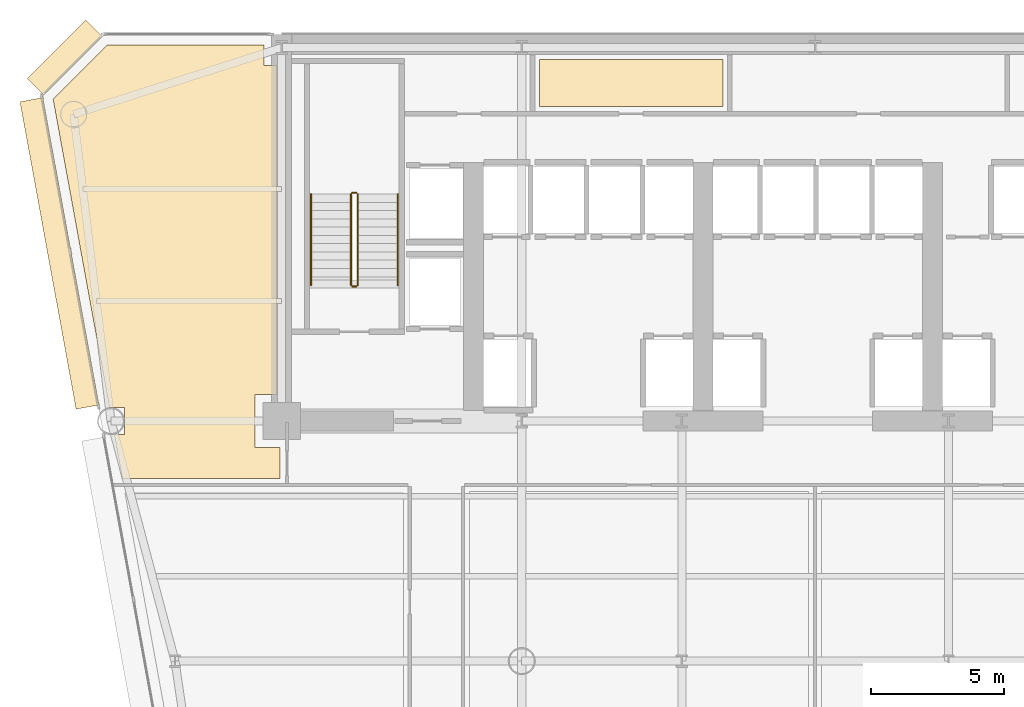
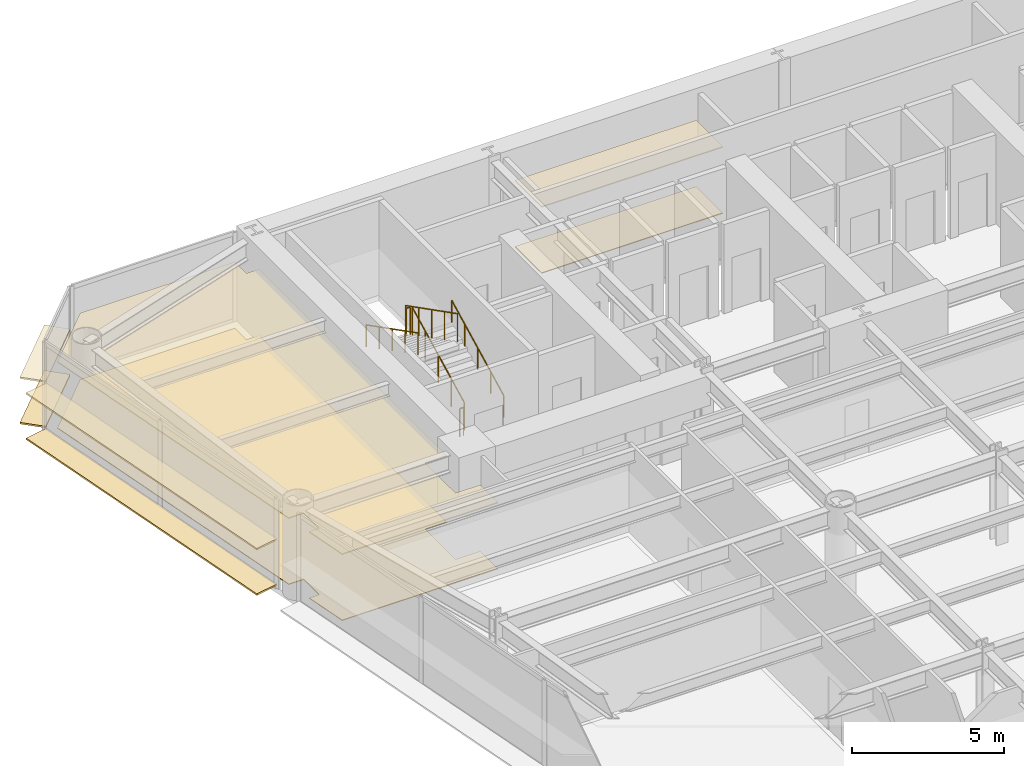
# One storey, part 12 of 14: 8 coverings, 6 railings.
"""IFC4 building model written with IfcOpenShell, lengths in metres."""

from ifc_helpers import new_model, si_unit, direction, frame, origin, origin_2d, place, context, subcontext, project, spatial, polyline, rectangle, circle, outline, extrude, source, transform, mapped, material, layer, layer_set, type_object, element, save


model = new_model("IFC4")

# Units and contexts
model_context = context("Model", 3, precision=1e-05, world=origin(), true_north=direction((0.0, 1.0)))
body_context = subcontext(model_context, "Body", "Model", "MODEL_VIEW")
ifc_project = project(units=[si_unit("LENGTHUNIT", "METRE"), si_unit("AREAUNIT", "SQUARE_METRE"), si_unit("VOLUMEUNIT", "CUBIC_METRE"), si_unit("PLANEANGLEUNIT", "RADIAN"), si_unit("MASSUNIT", "GRAM", prefix="KILO")], contexts=[model_context])

# Site, building, storey
site_placement = place(None, origin())
site = spatial("IfcSite", under=ifc_project, at=site_placement, CompositionType="ELEMENT")
building_placement = place(site_placement, origin())
building = spatial("IfcBuilding", under=site, at=building_placement, Name="Vaeldorn Concourse Tower", CompositionType="ELEMENT")
storey_placement = place(building_placement, frame((0.0, 0.0, 99.60009765625)))
storey = spatial("IfcBuildingStorey", under=building, at=storey_placement, Name="L25", CompositionType="ELEMENT", Elevation=99.60009765625)

# Coverings
ifc_material_1 = material(Name="Acoustic Mineral Fibre Board", Category="gypsum")
ifc_layer_1 = layer(ifc_material_1, 0.0400390625)
ifc_layer_set_1 = layer_set([ifc_layer_1], Name="Acoustic Mineral Fibre Board")
covering_type_1 = type_object("IfcCoveringType", Name="COV-CEIL-ACOUSTIC", PredefinedType="CEILING", material=ifc_layer_set_1)
covering_1_placement = place(storey_placement, frame((0.0, 0.0, 2.64990234375)))
element("IfcCovering", 1, at=covering_1_placement, inside=storey, type_object=covering_type_1, Name="Suspended Acoustic Ceiling L25-2", PredefinedType="CEILING", context=body_context, shape_type="SweptSolid", body=[
    extrude(outline(polyline([(30.5400390625, 50.050048828125), (30.5400390625, 48.300048828125), (23.659912109375, 48.300048828125), (23.659912109375, 50.050048828125), (30.5400390625, 50.050048828125)])), origin(), (0.0, 0.0, 1.0), 0.0400390625),
])
covering_2_placement = place(storey_placement, frame((0.0, 0.0, 2.64990234375)))
element("IfcCovering", 2, at=covering_2_placement, inside=storey, type_object=covering_type_1, Name="Suspended Acoustic Ceiling L25-3", PredefinedType="CEILING", context=body_context, shape_type="SweptSolid", body=[
    extrude(outline(polyline([(7.4658203125, 50.60009765625), (13.340087890625, 50.60009765625), (13.340087890625, 49.840087890625), (13.820068359375, 49.840087890625), (13.820068359375, 37.5), (13.0, 37.5), (13.0, 35.5), (13.93994140625, 35.5), (13.93994140625, 34.340087890625), (8.0263671875, 34.340087890625), (7.781982421875, 35.679931640625), (7.781982421875, 35.679931640625), (7.72509765625, 35.991943359375), (8.10791015625, 35.991943359375), (8.10791015625, 37.008056640625), (7.539794921875, 37.008056640625), (5.43115234375, 48.5654296875), (7.4658203125, 50.60009765625)])), origin(), (0.0, 0.0, 1.0), 0.0400390625),
])
ifc_material_2 = material(Name="Honed Limestone Terrazzo Flooring", Category="masonry")
ifc_layer_2 = layer(ifc_material_2, 0.0400390625)
ifc_layer_set_2 = layer_set([ifc_layer_2], Name="Honed Limestone Terrazzo Flooring")
covering_type_2 = type_object("IfcCoveringType", Name="COV-FLOOR-STONE", PredefinedType="FLOORING", material=ifc_layer_set_2)
covering_3_placement = place(storey_placement, origin())
element("IfcCovering", 3, at=covering_3_placement, inside=storey, type_object=covering_type_2, Name="Floor Finish Covering L25-2", PredefinedType="FLOORING", context=body_context, shape_type="SweptSolid", body=[
    extrude(outline(polyline([(30.5400390625, 50.050048828125), (30.5400390625, 48.300048828125), (23.659912109375, 48.300048828125), (23.659912109375, 50.050048828125), (30.5400390625, 50.050048828125)])), origin(), (0.0, 0.0, 1.0), 0.02978515625),
])
covering_4_placement = place(storey_placement, origin())
element("IfcCovering", 4, at=covering_4_placement, inside=storey, type_object=covering_type_2, Name="Floor Finish Covering L25-3", PredefinedType="FLOORING", context=body_context, shape_type="SweptSolid", body=[
    extrude(outline(polyline([(7.4658203125, 50.60009765625), (13.340087890625, 50.60009765625), (13.340087890625, 49.840087890625), (13.820068359375, 49.840087890625), (13.820068359375, 37.5), (13.0, 37.5), (13.0, 35.5), (13.93994140625, 35.5), (13.93994140625, 34.340087890625), (8.0263671875, 34.340087890625), (7.781982421875, 35.679931640625), (7.781982421875, 35.679931640625), (7.72509765625, 35.991943359375), (8.10791015625, 35.991943359375), (8.10791015625, 37.008056640625), (7.539794921875, 37.008056640625), (5.43115234375, 48.5654296875), (7.4658203125, 50.60009765625)])), origin(), (0.0, 0.0, 1.0), 0.02978515625),
])

# Railings
ifc_material_3 = material(Name="Anodised Bronze Aluminium", Category="aluminium")
railing_type_1 = type_object("IfcRailingType", Name="RL-STAIR-GUARD", PredefinedType="GUARDRAIL", material=ifc_material_3)
railing_1_placement = place(storey_placement, frame((16.85009765625, 41.60009765625, 0.158203125)))
element("IfcRailing", 5, at=railing_1_placement, inside=storey, type_object=railing_type_1, Name="L25 ST-1 stair guard 1", PredefinedType="GUARDRAIL", context=body_context, shape_type="SweptSolid", body=[
    extrude(circle(Radius=0.02392578125, at=origin_2d()), frame((0.0, 0.0, 1.1259765625), z_axis=(0.0, 0.890555807335, 0.454873997962), x_axis=(-1.0, 0.0, 0.0)), (0.0, 0.0, 1.0), 3.828857421875),
    extrude(circle(Radius=0.02099609375, at=origin_2d()), origin(), (0.0, 0.0, 1.0), 1.101806640625),
    extrude(circle(Radius=0.02099609375, at=origin_2d()), frame((0.0, 0.8525390625, 0.435546875)), (0.0, 0.0, 1.0), 1.101806640625),
    extrude(circle(Radius=0.02099609375, at=origin_2d()), frame((0.0, 1.705078125, 0.870849609375)), (0.0, 0.0, 1.0), 1.101806640625),
    extrude(circle(Radius=0.02099609375, at=origin_2d()), frame((0.0, 2.557373046875, 1.30615234375)), (0.0, 0.0, 1.0), 1.101806640625),
    extrude(circle(Radius=0.02099609375, at=origin_2d()), frame((0.0, 3.409912109375, 1.74169921875)), (0.0, 0.0, 1.0), 1.101806640625),
])
railing_2_placement = place(storey_placement, frame((16.800048828125, 45.06005859375, 1.89990234375)))
element("IfcRailing", 6, at=railing_2_placement, inside=storey, type_object=railing_type_1, Name="L25 ST-1 stair guard 2", PredefinedType="GUARDRAIL", context=body_context, shape_type="SweptSolid", body=[
    extrude(circle(Radius=0.02392578125, at=origin_2d()), frame((0.0, 0.0, 1.1259765625), z_axis=(-1.0, 0.0, 0.0), x_axis=(0.0, -1.0, 0.0)), (0.0, 0.0, 1.0), 0.150146484375),
    extrude(circle(Radius=0.02099609375, at=origin_2d()), origin(), (0.0, 0.0, 1.0), 1.101806640625),
    extrude(circle(Radius=0.02099609375, at=origin_2d()), frame((-0.150146484375, 0.0, 0.0)), (0.0, 0.0, 1.0), 1.101806640625),
])
railing_3_placement = place(storey_placement, frame((16.60009765625, 45.010009765625, 2.058349609375)))
element("IfcRailing", 7, at=railing_3_placement, inside=storey, type_object=railing_type_1, Name="L25 ST-1 stair guard 3", PredefinedType="GUARDRAIL", context=body_context, shape_type="SweptSolid", body=[
    extrude(circle(Radius=0.02392578125, at=origin_2d()), frame((0.0, 0.0, 1.1259765625), z_axis=(0.0, -0.890581635807, 0.454823427236), x_axis=(1.0, 0.0, 0.0)), (0.0, 0.0, 1.0), 3.828857421875),
    extrude(circle(Radius=0.02099609375, at=origin_2d()), origin(), (0.0, 0.0, 1.0), 1.101806640625),
    extrude(circle(Radius=0.02099609375, at=origin_2d()), frame((0.0, -0.8525390625, 0.435302734375)), (0.0, 0.0, 1.0), 1.101806640625),
    extrude(circle(Radius=0.02099609375, at=origin_2d()), frame((0.0, -1.705078125, 0.87060546875)), (0.0, 0.0, 1.0), 1.101806640625),
    extrude(circle(Radius=0.02099609375, at=origin_2d()), frame((0.0, -2.557373046875, 1.30615234375)), (0.0, 0.0, 1.0), 1.101806640625),
    extrude(circle(Radius=0.02099609375, at=origin_2d()), frame((0.0, -3.409912109375, 1.741455078125)), (0.0, 0.0, 1.0), 1.101806640625),
])
railing_4_placement = place(storey_placement, frame((16.800048828125, 41.550048828125, 0.0)))
element("IfcRailing", 8, at=railing_4_placement, inside=storey, type_object=railing_type_1, Name="L25 ST-1 stair guard 4", PredefinedType="GUARDRAIL", context=body_context, shape_type="SweptSolid", body=[
    extrude(circle(Radius=0.02392578125, at=origin_2d()), frame((0.0, 0.0, 1.1259765625), z_axis=(-1.0, 0.0, 0.0), x_axis=(0.0, -1.0, 0.0)), (0.0, 0.0, 1.0), 0.150146484375),
    extrude(circle(Radius=0.02099609375, at=origin_2d()), origin(), (0.0, 0.0, 1.0), 1.101806640625),
    extrude(circle(Radius=0.02099609375, at=origin_2d()), frame((-0.150146484375, 0.0, 0.0)), (0.0, 0.0, 1.0), 1.101806640625),
])
railing_type_2 = type_object("IfcRailingType", Name="RL-STAIR-HANDRAIL", PredefinedType="HANDRAIL", material=ifc_material_3)
railing_5_placement = place(storey_placement, frame((18.35009765625, 41.60009765625, 0.158203125)))
element("IfcRailing", 9, at=railing_5_placement, inside=storey, type_object=railing_type_2, Name="L25 ST-1 stair handrail 1", PredefinedType="HANDRAIL", context=body_context, shape_type="SweptSolid", body=[
    extrude(circle(Radius=0.02392578125, at=origin_2d()), frame((0.0, 0.0, 0.8759765625), z_axis=(0.0, 0.890555807335, 0.454873997962), x_axis=(-1.0, 0.0, 0.0)), (0.0, 0.0, 1.0), 3.828857421875),
    extrude(circle(Radius=0.02099609375, at=origin_2d()), origin(), (0.0, 0.0, 1.0), 0.851806640625),
    extrude(circle(Radius=0.02099609375, at=origin_2d()), frame((0.0, 0.8525390625, 0.435546875)), (0.0, 0.0, 1.0), 0.851806640625),
    extrude(circle(Radius=0.02099609375, at=origin_2d()), frame((0.0, 1.705078125, 0.870849609375)), (0.0, 0.0, 1.0), 0.851806640625),
    extrude(circle(Radius=0.02099609375, at=origin_2d()), frame((0.0, 2.557373046875, 1.30615234375)), (0.0, 0.0, 1.0), 0.851806640625),
    extrude(circle(Radius=0.02099609375, at=origin_2d()), frame((0.0, 3.409912109375, 1.74169921875)), (0.0, 0.0, 1.0), 0.851806640625),
])
railing_6_placement = place(storey_placement, frame((15.10009765625, 45.010009765625, 2.058349609375)))
element("IfcRailing", 10, at=railing_6_placement, inside=storey, type_object=railing_type_2, Name="L25 ST-1 stair handrail 2", PredefinedType="HANDRAIL", context=body_context, shape_type="SweptSolid", body=[
    extrude(circle(Radius=0.02392578125, at=origin_2d()), frame((0.0, 0.0, 0.8759765625), z_axis=(0.0, -0.890581635807, 0.454823427236), x_axis=(1.0, 0.0, 0.0)), (0.0, 0.0, 1.0), 3.828857421875),
    extrude(circle(Radius=0.02099609375, at=origin_2d()), origin(), (0.0, 0.0, 1.0), 0.851806640625),
    extrude(circle(Radius=0.02099609375, at=origin_2d()), frame((0.0, -0.8525390625, 0.435302734375)), (0.0, 0.0, 1.0), 0.851806640625),
    extrude(circle(Radius=0.02099609375, at=origin_2d()), frame((0.0, -1.705078125, 0.87060546875)), (0.0, 0.0, 1.0), 0.851806640625),
    extrude(circle(Radius=0.02099609375, at=origin_2d()), frame((0.0, -2.557373046875, 1.30615234375)), (0.0, 0.0, 1.0), 0.851806640625),
    extrude(circle(Radius=0.02099609375, at=origin_2d()), frame((0.0, -3.409912109375, 1.741455078125)), (0.0, 0.0, 1.0), 0.851806640625),
])

# Coverings
ifc_layer_3 = layer(ifc_material_3, 0.06494140625)
ifc_layer_set_3 = layer_set([ifc_layer_3], Name="Anodised Bronze Aluminium")
covering_type_3 = type_object("IfcCoveringType", Name="SD-BRONZE-SUNSHADE", PredefinedType="USERDEFINED", material=ifc_layer_set_3)
shared_shape_1 = source(origin(), body_context, "Body", "SweptSolid", [
    extrude(rectangle(XDim=3.0927734375, YDim=0.8798828125, at=origin_2d()), origin(), (0.0, 0.0, 1.0), 0.06494140625),
])
for number, where, z_axis, x_axis, name in (
    (11, (5.8671875, 50.1328125, 0.04736328125), (0.0, 0.0, 1.0), (-0.707106781187, -0.707106781187, 0.0), "Horizontal Bronze Sunshade L25-E10.1.1"),
    (12, (5.8671875, 50.1328125, 1.867431640625), (0.0, 0.0, 1.0), (-0.707106781187, -0.707106781187, 0.0), "Horizontal Bronze Sunshade L25-E10.1.2"),
):
    element("IfcCovering", number, at=place(storey_placement, frame(where, z_axis=z_axis, x_axis=x_axis)), inside=storey, type_object=covering_type_3, Name=name, ObjectType="SUNSHADE", PredefinedType="USERDEFINED", context=body_context, shape_type="MappedRepresentation", body=[
        mapped(shared_shape_1, transform((0.0, 0.0, 0.0), scale=1.0)),
    ])
shared_shape_2 = source(origin(), body_context, "Body", "SweptSolid", [
    extrude(rectangle(XDim=11.71484375, YDim=0.8798828125, at=origin_2d()), origin(), (0.0, 0.0, 1.0), 0.06494140625),
])
for number, where, z_axis, x_axis, name in (
    (13, (5.672119140625, 42.787109375, 0.04736328125), (0.0, 0.0, 1.0), (0.179471882945, -0.983763103207, 0.0), "Horizontal Bronze Sunshade L25-E11.1.1"),
    (14, (5.672119140625, 42.787109375, 1.867431640625), (0.0, 0.0, 1.0), (0.179471882945, -0.983763103207, 0.0), "Horizontal Bronze Sunshade L25-E11.1.2"),
):
    element("IfcCovering", number, at=place(storey_placement, frame(where, z_axis=z_axis, x_axis=x_axis)), inside=storey, type_object=covering_type_3, Name=name, ObjectType="SUNSHADE", PredefinedType="USERDEFINED", context=body_context, shape_type="MappedRepresentation", body=[
        mapped(shared_shape_2, transform((0.0, 0.0, 0.0), scale=1.0)),
    ])

save(model, "model.ifc")
